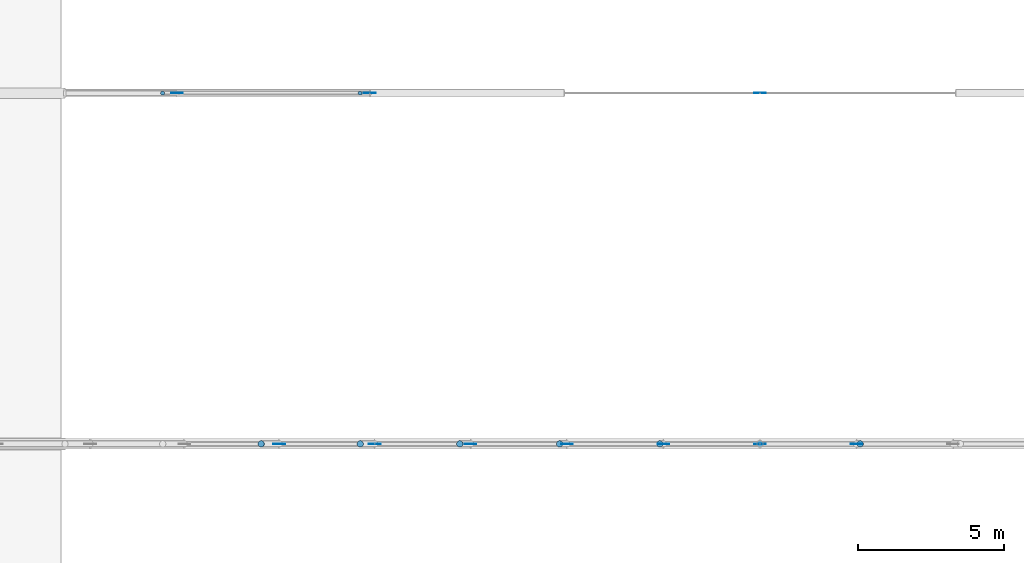
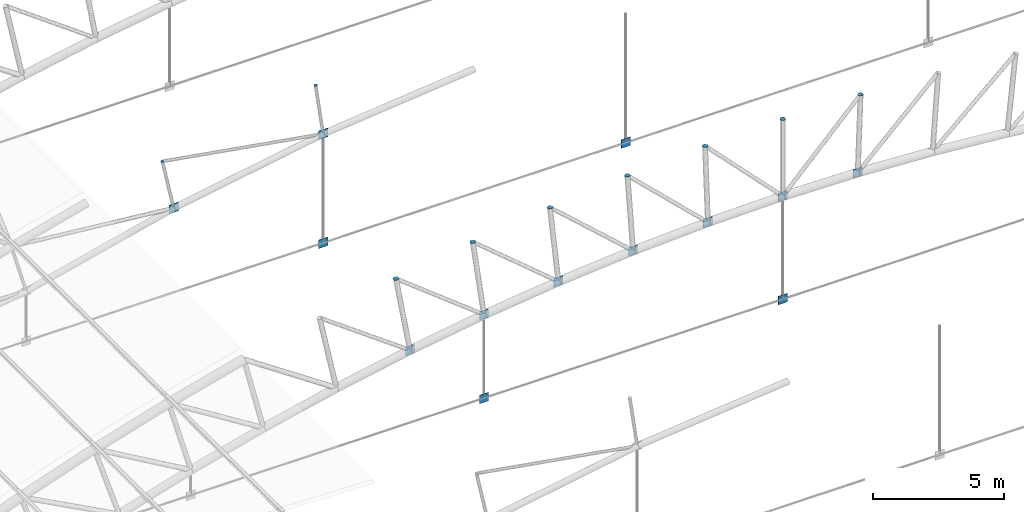
# One storey, part 266 of 321: 22 discrete accessories.
"""IFC4 building model written with IfcOpenShell, lengths in metres."""

from ifc_helpers import new_model, si_unit, direction, frame, origin, origin_2d, place, context, subcontext, project, spatial, rectangle, circle, extrude, material, material_profile, profile_set, type_object, element, save


model = new_model("IFC4")

# Units and contexts
model_context = context("Model", 3, precision=1e-05, world=origin(), true_north=direction((0.0, 1.0)))
body_context = subcontext(model_context, "Body", "Model", "MODEL_VIEW")
ifc_project = project(units=[si_unit("LENGTHUNIT", "METRE"), si_unit("AREAUNIT", "SQUARE_METRE"), si_unit("VOLUMEUNIT", "CUBIC_METRE"), si_unit("PLANEANGLEUNIT", "RADIAN"), si_unit("MASSUNIT", "GRAM", prefix="KILO")], contexts=[model_context])

# Site, building, storey
site_placement = place(None, origin())
site = spatial("IfcSite", under=ifc_project, at=site_placement, CompositionType="ELEMENT")
building_placement = place(site_placement, origin())
building = spatial("IfcBuilding", under=site, at=building_placement, Name="Ravi Spectrum Wholesale Market", CompositionType="ELEMENT")
storey_placement = place(building_placement, frame((0.0, 0.0, 10.800048828125)))
storey = spatial("IfcBuildingStorey", under=building, at=storey_placement, Name="L02", CompositionType="ELEMENT", Elevation=10.800048828125)

# Discrete accessories
ifc_material_1 = material(Name="Steel S355", Category="steel")
ifc_material_profile_1 = material_profile(ifc_material_1, circle(Radius=0.06982421875, at=origin_2d()))
ifc_profile_set_1 = profile_set([ifc_material_profile_1], Name="Steel S355")
discrete_accessory_type_1 = type_object("IfcDiscreteAccessoryType", Name="End plate CHS 139.7x5", PredefinedType="BRACKET", material=ifc_profile_set_1)
for number, where, z_axis, x_axis, name in (
    (1, (49.55859375, 66.0, 6.30224609375), (-0.203954254112, 0.0, 0.978980419738), (0.0, -1.0, 0.0), "End plate"),
    (2, (56.318115234375, 66.0, 7.479736328125), (-0.141421356237, 0.0, 0.989949493661), (0.0, -1.0, 0.0), "End plate"),
):
    element("IfcDiscreteAccessory", number, at=place(storey_placement, frame(where, z_axis=z_axis, x_axis=x_axis)), inside=storey, type_object=discrete_accessory_type_1, Name=name, PredefinedType="BRACKET", context=body_context, shape_type="SweptSolid", body=[
        extrude(circle(Radius=0.06982421875, at=origin_2d()), origin(), (0.0, 0.0, 1.0), 0.011962890625),
    ])
ifc_material_2 = material(Name="Steel S355", Category="steel")
ifc_material_profile_2 = material_profile(ifc_material_2, circle(Radius=0.109619140625, at=origin_2d()))
ifc_profile_set_2 = profile_set([ifc_material_profile_2], Name="Steel S355")
discrete_accessory_type_2 = type_object("IfcDiscreteAccessoryType", Name="End plate CHS 219.1x8", PredefinedType="BRACKET", material=ifc_profile_set_2)
for number, where, z_axis, x_axis, name in (
    (3, (52.9326171875, 54.0, 6.92431640625), (-0.18428853505, 0.0, 0.982872186934), (0.0, -1.0, 0.0), "End plate"),
    (4, (56.321533203125, 54.0, 7.45458984375), (-0.141421356237, 0.0, 0.989949493661), (0.0, -1.0, 0.0), "End plate"),
    (5, (59.726806640625, 54.0, 7.867919921875), (-0.101513688013, 0.0, 0.994834142531), (0.0, -1.0, 0.0), "End plate"),
    (6, (63.14453125, 54.0, 8.163330078125), (-0.081362009455, 0.0, 0.996684615823), (0.0, -1.0, 0.0), "End plate"),
    (7, (66.5703125, 54.0, 8.3408203125), (-0.040782369514, 0.0, 0.999168053101), (0.0, -1.0, 0.0), "End plate"),
    (8, (70.0, 54.0, 8.39990234375), (0.0, 0.0, 1.0), (1.0, 0.0, 0.0), "End plate"),
    (9, (73.4296875, 54.0, 8.3408203125), (0.040782369514, 0.0, 0.999168053101), (0.0, 1.0, 0.0), "End plate"),
):
    element("IfcDiscreteAccessory", number, at=place(storey_placement, frame(where, z_axis=z_axis, x_axis=x_axis)), inside=storey, type_object=discrete_accessory_type_2, Name=name, PredefinedType="BRACKET", context=body_context, shape_type="SweptSolid", body=[
        extrude(circle(Radius=0.109619140625, at=origin_2d()), origin(), (0.0, 0.0, 1.0), 0.011962890625),
    ])
ifc_material_3 = material(Name="Steel S355", Category="steel")
ifc_material_profile_3 = material_profile(ifc_material_3, rectangle(XDim=0.39990234375, YDim=0.02001953125, at=origin_2d()))
ifc_profile_set_3 = profile_set([ifc_material_profile_3], Name="Steel S355")
discrete_accessory_type_3 = type_object("IfcDiscreteAccessoryType", Name="Gusset plate 400x400x20", PredefinedType="BRACKET", material=ifc_profile_set_3)
for number, where, z_axis, x_axis, name in (
    (10, (50.0517578125, 66.0, 3.75341796875), (0.0, 0.0, 1.0), (1.0, 0.0, 0.0), "Gusset plate"),
    (11, (53.55029296875, 54.0, 3.177734375), (0.0, 0.0, 1.0), (1.0, 0.0, 0.0), "Gusset plate"),
    (12, (56.648193359375, 66.0, -0.1767578125), (0.0, 0.0, 1.0), (1.0, 0.0, 0.0), "Gusset plate"),
):
    element("IfcDiscreteAccessory", number, at=place(storey_placement, frame(where, z_axis=z_axis, x_axis=x_axis)), inside=storey, type_object=discrete_accessory_type_3, Name=name, PredefinedType="BRACKET", context=body_context, shape_type="SweptSolid", body=[
        extrude(rectangle(XDim=0.39990234375, YDim=0.02001953125, at=origin_2d()), origin(), (0.0, 0.0, 1.0), 0.39990234375),
    ])
discrete_accessory_1_placement = place(storey_placement, frame((56.648193359375, 66.0, 4.902587890625), z_axis=(0.0, 0.0, 1.0), x_axis=(1.0, 0.0, 0.0)))
element("IfcDiscreteAccessory", 13, at=discrete_accessory_1_placement, inside=storey, type_object=discrete_accessory_type_3, Name="Gusset plate", PredefinedType="BRACKET", context=body_context, shape_type="SweptSolid", body=[
    extrude(rectangle(XDim=0.39990234375, YDim=0.02001953125, at=origin_2d()), origin(), (0.0, 0.0, 1.0), 0.400146484375),
])
for number, where, z_axis, x_axis, name in (
    (14, (56.81689453125, 54.0, -0.199951171875), (0.0, 0.0, 1.0), (1.0, 0.0, 0.0), "Gusset plate"),
    (15, (56.81689453125, 54.0, 3.68896484375), (0.0, 0.0, 1.0), (1.0, 0.0, 0.0), "Gusset plate"),
    (16, (60.098876953125, 54.0, 4.087158203125), (0.0, 0.0, 1.0), (1.0, 0.0, 0.0), "Gusset plate"),
):
    element("IfcDiscreteAccessory", number, at=place(storey_placement, frame(where, z_axis=z_axis, x_axis=x_axis)), inside=storey, type_object=discrete_accessory_type_3, Name=name, PredefinedType="BRACKET", context=body_context, shape_type="SweptSolid", body=[
        extrude(rectangle(XDim=0.39990234375, YDim=0.02001953125, at=origin_2d()), origin(), (0.0, 0.0, 1.0), 0.39990234375),
    ])
discrete_accessory_2_placement = place(storey_placement, frame((63.392578125, 54.0, 4.371826171875), z_axis=(0.0, 0.0, 1.0), x_axis=(1.0, 0.0, 0.0)))
element("IfcDiscreteAccessory", 17, at=discrete_accessory_2_placement, inside=storey, type_object=discrete_accessory_type_3, Name="Gusset plate", PredefinedType="BRACKET", context=body_context, shape_type="SweptSolid", body=[
    extrude(rectangle(XDim=0.39990234375, YDim=0.02001953125, at=origin_2d()), origin(), (0.0, 0.0, 1.0), 0.400146484375),
])
for number, where, z_axis, x_axis, name in (
    (18, (66.6943359375, 54.0, 4.54296875), (0.0, 0.0, 1.0), (1.0, 0.0, 0.0), "Gusset plate"),
    (19, (70.0, 54.0, -0.199951171875), (0.0, 0.0, 1.0), (1.0, 0.0, 0.0), "Gusset plate"),
):
    element("IfcDiscreteAccessory", number, at=place(storey_placement, frame(where, z_axis=z_axis, x_axis=x_axis)), inside=storey, type_object=discrete_accessory_type_3, Name=name, PredefinedType="BRACKET", context=body_context, shape_type="SweptSolid", body=[
        extrude(rectangle(XDim=0.39990234375, YDim=0.02001953125, at=origin_2d()), origin(), (0.0, 0.0, 1.0), 0.39990234375),
    ])
discrete_accessory_3_placement = place(storey_placement, frame((70.0, 54.0, 4.599853515625), z_axis=(0.0, 0.0, 1.0), x_axis=(1.0, 0.0, 0.0)))
element("IfcDiscreteAccessory", 20, at=discrete_accessory_3_placement, inside=storey, type_object=discrete_accessory_type_3, Name="Gusset plate", PredefinedType="BRACKET", context=body_context, shape_type="SweptSolid", body=[
    extrude(rectangle(XDim=0.39990234375, YDim=0.02001953125, at=origin_2d()), origin(), (0.0, 0.0, 1.0), 0.400146484375),
])
for number, where, z_axis, x_axis, name in (
    (21, (70.0, 66.0, -0.1767578125), (0.0, 0.0, 1.0), (1.0, 0.0, 0.0), "Gusset plate"),
    (22, (73.3056640625, 54.0, 4.54296875), (0.0, 0.0, 1.0), (-1.0, 0.0, 0.0), "Gusset plate"),
):
    element("IfcDiscreteAccessory", number, at=place(storey_placement, frame(where, z_axis=z_axis, x_axis=x_axis)), inside=storey, type_object=discrete_accessory_type_3, Name=name, PredefinedType="BRACKET", context=body_context, shape_type="SweptSolid", body=[
        extrude(rectangle(XDim=0.39990234375, YDim=0.02001953125, at=origin_2d()), origin(), (0.0, 0.0, 1.0), 0.39990234375),
    ])

save(model, "model.ifc")
